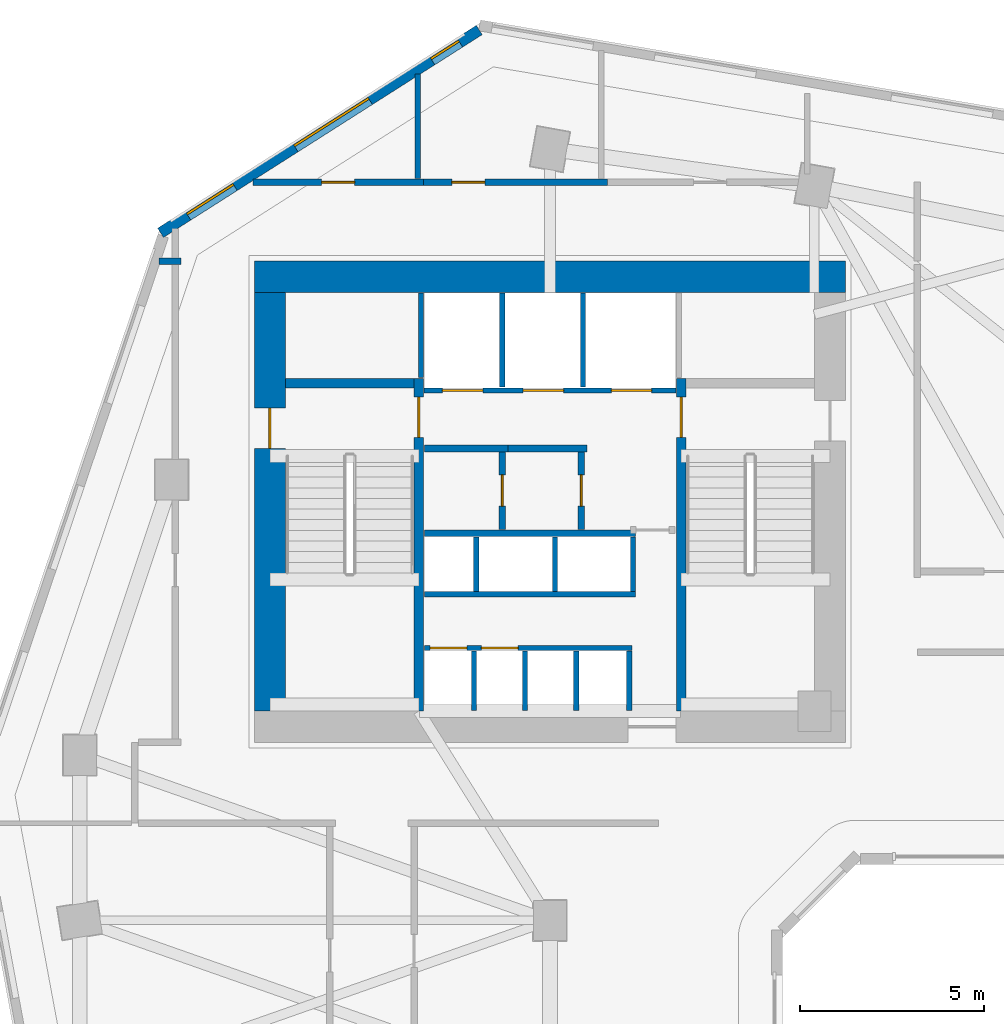
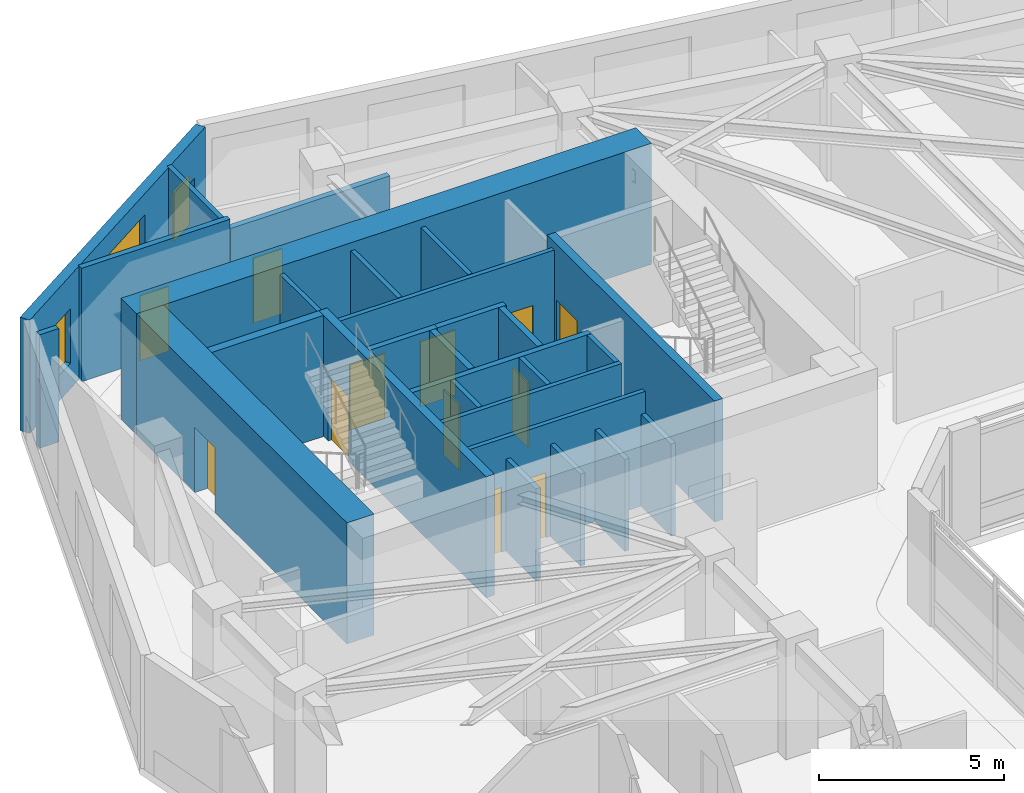
# One storey, part 6 of 11: 28 walls, 12 doors, 3 windows, 15 openings.
"""IFC4 building model written with IfcOpenShell, lengths in metres."""

from ifc_helpers import new_model, si_unit, direction, frame, frame_2d, origin, place, context, subcontext, project, spatial, rectangle, extrude, source, transform, mapped, material, layer, layer_set, type_object, element, fill, save


model = new_model("IFC4")

# Units and contexts
model_context = context("Model", 3, precision=1e-05, world=origin(), true_north=direction((0.0, 1.0)))
body_context = subcontext(model_context, "Body", "Model", "MODEL_VIEW")
ifc_project = project(units=[si_unit("LENGTHUNIT", "METRE"), si_unit("AREAUNIT", "SQUARE_METRE"), si_unit("VOLUMEUNIT", "CUBIC_METRE"), si_unit("PLANEANGLEUNIT", "RADIAN"), si_unit("MASSUNIT", "GRAM", prefix="KILO")], contexts=[model_context])

# Site, building, storey
site_placement = place(None, origin())
site = spatial("IfcSite", under=ifc_project, at=site_placement, CompositionType="ELEMENT")
building_placement = place(site_placement, origin())
building = spatial("IfcBuilding", under=site, at=building_placement, Name="Calvemar Wedge Station Tower", CompositionType="ELEMENT")
storey_placement = place(building_placement, frame((0.0, 0.0, 83.0)))
storey = spatial("IfcBuildingStorey", under=building, at=storey_placement, Name="L20", CompositionType="ELEMENT", Elevation=83.0)

# Wall, opening, door
ifc_material_1 = material(Name="Concrete C50", Category="concrete")
ifc_layer_1 = layer(ifc_material_1, 0.260009765625)
ifc_layer_set_1 = layer_set([ifc_layer_1], Name="Concrete C50")
wall_type_1 = type_object("IfcWallType", Name="SW-CORE-260", PredefinedType="SHEAR", material=ifc_layer_set_1)
wall_1_placement = place(storey_placement, frame((20.22998046875, 34.199951171875, 0.0), z_axis=(0.0, 0.0, 1.0), x_axis=(0.0, 1.0, 0.0)))
wall_1 = element("IfcWall", 1, at=wall_1_placement, inside=storey, type_object=wall_type_1, Name="Storey L20 Core Shear Wall SPINE-W", PredefinedType="SHEAR", context=body_context, shape_type="SweptSolid", body=[
    extrude(rectangle(XDim=9.06005859375, YDim=0.260009765625, at=frame_2d((4.530029296875, 0.0))), origin(), (0.0, 0.0, 1.0), 4.0),
])
shared_shape_1 = source(origin(), body_context, "Body", "SweptSolid", [
    extrude(rectangle(XDim=1.10009765625, YDim=2.14990234375, at=frame_2d((0.550048828125, 1.074951171875))), frame((0.0, 0.14013671875, 0.0), z_axis=(0.0, -1.0, 0.0), x_axis=(1.0, 0.0, 0.0)), (0.0, 0.0, 1.0), 0.280029296875),
])
opening_1_placement = place(wall_1_placement, frame((7.449951171875, 0.0, 0.0)))
opening_1 = element("IfcOpeningElement", 2, at=opening_1_placement, cuts=wall_1, Name="Opening FD-90", PredefinedType="OPENING", context=body_context, shape_type="MappedRepresentation", body=[
    mapped(shared_shape_1, transform((0.0, 0.0, 0.0), scale=1.0)),
])
ifc_material_2 = material(Name="Galvanized fire-rated steel door leaf P-90", Category="steel")
door_type_1 = type_object("IfcDoorType", Name="DR-FD90-1100", OperationType="NOTDEFINED", PredefinedType="DOOR", material=ifc_material_2)
shared_shape_2 = source(origin(), body_context, "Body", "SweptSolid", [
    extrude(rectangle(XDim=1.10009765625, YDim=2.14990234375, at=frame_2d((0.550048828125, 1.074951171875))), frame((0.0, 0.02490234375, 0.0), z_axis=(0.0, -1.0, 0.0), x_axis=(1.0, 0.0, 0.0)), (0.0, 0.0, 1.0), 0.050048828125),
])
door_1_placement = place(opening_1_placement, origin())
door_1 = element("IfcDoor", 3, at=door_1_placement, inside=storey, type_object=door_type_1, Name="L20 FF Lobby to Stair ST-C1 Door", OperationType="SINGLE_SWING_RIGHT", OverallHeight=2.14990234375, OverallWidth=1.10009765625, PredefinedType="DOOR", context=body_context, shape_type="MappedRepresentation", body=[
    mapped(shared_shape_2, transform((0.0, 0.0, 0.0), scale=1.0)),
])
fill(opening_1, door_1)

wall_2_placement = place(storey_placement, frame((27.3701171875, 34.199951171875, 0.0), z_axis=(0.0, 0.0, 1.0), x_axis=(0.0, 1.0, 0.0)))
wall_2 = element("IfcWall", 4, at=wall_2_placement, inside=storey, type_object=wall_type_1, Name="Storey L20 Core Shear Wall SPINE-E", PredefinedType="SHEAR", context=body_context, shape_type="SweptSolid", body=[
    extrude(rectangle(XDim=9.06005859375, YDim=0.260009765625, at=frame_2d((4.530029296875, 0.0))), origin(), (0.0, 0.0, 1.0), 4.0),
])
opening_2_placement = place(wall_2_placement, frame((7.449951171875, 0.0, 0.0)))
opening_2 = element("IfcOpeningElement", 5, at=opening_2_placement, cuts=wall_2, Name="Opening FD-90", PredefinedType="OPENING", context=body_context, shape_type="MappedRepresentation", body=[
    mapped(shared_shape_1, transform((0.0, 0.0, 0.0), scale=1.0)),
])
door_2_placement = place(opening_2_placement, origin())
door_2 = element("IfcDoor", 6, at=door_2_placement, inside=storey, type_object=door_type_1, Name="L20 FF Lobby to Stair ST-C2 Door", OperationType="SINGLE_SWING_LEFT", OverallHeight=2.14990234375, OverallWidth=1.10009765625, PredefinedType="DOOR", context=body_context, shape_type="MappedRepresentation", body=[
    mapped(shared_shape_2, transform((0.0, 0.0, 0.0), scale=1.0)),
])
fill(opening_2, door_2)

# Walls
wall_3_placement = place(storey_placement, frame((16.60009765625, 43.1298828125, 0.0), z_axis=(0.0, 0.0, 1.0), x_axis=(1.0, 0.0, 0.0)))
element("IfcWall", 7, at=wall_3_placement, inside=storey, type_object=wall_type_1, Name="Storey L20 Core Shear Wall STC1-N", PredefinedType="SHEAR", context=body_context, shape_type="SweptSolid", body=[
    extrude(rectangle(XDim=3.5, YDim=0.260009765625, at=frame_2d((1.75, 0.0))), origin(), (0.0, 0.0, 1.0), 4.0),
])
ifc_material_3 = material(Name="Concrete C80", Category="concrete")
ifc_layer_2 = layer(ifc_material_3, 0.85009765625)
ifc_layer_set_2 = layer_set([ifc_layer_2], Name="Concrete C80")
wall_type_2 = type_object("IfcWallType", Name="SW-CORE-850", PredefinedType="SHEAR", material=ifc_layer_set_2)
wall_4_placement = place(storey_placement, frame((15.75, 46.02490234375, 0.0), z_axis=(0.0, 0.0, 1.0), x_axis=(1.0, 0.0, 0.0)))
element("IfcWall", 8, at=wall_4_placement, inside=storey, type_object=wall_type_2, Name="Storey L20 Core Shear Wall N", PredefinedType="SHEAR", context=body_context, shape_type="SweptSolid", body=[
    extrude(rectangle(XDim=16.10009765625, YDim=0.85009765625, at=frame_2d((8.050048828125, 0.0))), origin(), (0.0, 0.0, 1.0), 4.0),
])

# Wall, opening, door
wall_5_placement = place(storey_placement, frame((16.175048828125, 34.199951171875, 0.0), z_axis=(0.0, 0.0, 1.0), x_axis=(0.0, 1.0, 0.0)))
wall_5 = element("IfcWall", 9, at=wall_5_placement, inside=storey, type_object=wall_type_2, Name="Storey L20 Core Shear Wall W", PredefinedType="SHEAR", context=body_context, shape_type="SweptSolid", body=[
    extrude(rectangle(XDim=11.400146484375, YDim=0.85009765625, at=frame_2d((5.7001953125, 0.0))), origin(), (0.0, 0.0, 1.0), 4.0),
])
shared_shape_3 = source(origin(), body_context, "Body", "SweptSolid", [
    extrude(rectangle(XDim=1.10009765625, YDim=2.14990234375, at=frame_2d((0.550048828125, 1.074951171875))), frame((0.0, 0.43505859375, 0.0), z_axis=(0.0, -1.0, 0.0), x_axis=(1.0, 0.0, 0.0)), (0.0, 0.0, 1.0), 0.8701171875),
])
opening_3_placement = place(wall_5_placement, frame((7.14990234375, 0.0, 0.0)))
opening_3 = element("IfcOpeningElement", 10, at=opening_3_placement, cuts=wall_5, Name="Opening FD-90", PredefinedType="OPENING", context=body_context, shape_type="MappedRepresentation", body=[
    mapped(shared_shape_3, transform((0.0, 0.0, 0.0), scale=1.0)),
])
door_3_placement = place(opening_3_placement, origin())
door_3 = element("IfcDoor", 11, at=door_3_placement, inside=storey, type_object=door_type_1, Name="L20 West Corridor to Exit Stair ST-C1 Door", OperationType="SINGLE_SWING_RIGHT", OverallHeight=2.14990234375, OverallWidth=1.10009765625, PredefinedType="DOOR", context=body_context, shape_type="MappedRepresentation", body=[
    mapped(shared_shape_2, transform((0.0, 0.0, 0.0), scale=1.0)),
])
fill(opening_3, door_3)

# Walls
ifc_material_4 = material(Name="Double-stud fire-rated corridor partition")
ifc_layer_3 = layer(ifc_material_4, 0.179931640625)
ifc_layer_set_3 = layer_set([ifc_layer_3], Name="Double-stud fire-rated corridor partition")
wall_type_3 = type_object("IfcWallType", Name="W-CORR-180", PredefinedType="PARTITIONING", material=ifc_layer_set_3)
wall_6_placement = place(storey_placement, frame((22.659912109375, 41.35009765625, 0.0), z_axis=(0.0, 0.0, 1.0), x_axis=(-1.0, 0.0, 0.0)))
element("IfcWall", 12, at=wall_6_placement, inside=storey, type_object=wall_type_3, Name="Storey L20 Interior Partition WL-L20-001", PredefinedType="PARTITIONING", context=body_context, shape_type="SweptSolid", body=[
    extrude(rectangle(XDim=2.280029296875, YDim=0.179931640625, at=frame_2d((1.14013671875, 0.0))), origin(), (0.0, 0.0, 1.0), 3.75),
])
wall_7_placement = place(storey_placement, frame((24.81005859375, 41.35009765625, 0.0), z_axis=(0.0, 0.0, 1.0), x_axis=(-1.0, 0.0, 0.0)))
element("IfcWall", 13, at=wall_7_placement, inside=storey, type_object=wall_type_3, Name="Storey L20 Interior Partition WL-L20-002", PredefinedType="PARTITIONING", context=body_context, shape_type="SweptSolid", body=[
    extrude(rectangle(XDim=2.14794921875, YDim=0.179931640625, at=frame_2d((1.073974609375, 0.0))), origin(), (0.0, 0.0, 1.0), 3.75),
])

# Wall, opening, door
wall_8_placement = place(storey_placement, frame((22.5, 41.256103515625, 0.0), z_axis=(0.0, 0.0, 1.0), x_axis=(0.0, -1.0, 0.0)))
wall_8 = element("IfcWall", 14, at=wall_8_placement, inside=storey, type_object=wall_type_3, Name="Storey L20 Interior Partition WL-L20-003", PredefinedType="PARTITIONING", context=body_context, shape_type="SweptSolid", body=[
    extrude(rectangle(XDim=2.106201171875, YDim=0.179931640625, at=frame_2d((1.05322265625, 0.0))), origin(), (0.0, 0.0, 1.0), 3.75),
])
shared_shape_4 = source(origin(), body_context, "Body", "SweptSolid", [
    extrude(rectangle(XDim=0.85009765625, YDim=2.14990234375, at=frame_2d((0.425048828125, 1.074951171875))), frame((0.0, 0.10009765625, 0.0), z_axis=(0.0, -1.0, 0.0), x_axis=(1.0, 0.0, 0.0)), (0.0, 0.0, 1.0), 0.199951171875),
])
opening_4_placement = place(wall_8_placement, frame((0.6279296875, 0.0, 0.0)))
opening_4 = element("IfcOpeningElement", 15, at=opening_4_placement, cuts=wall_8, Name="Opening FD-60S", PredefinedType="OPENING", context=body_context, shape_type="MappedRepresentation", body=[
    mapped(shared_shape_4, transform((0.0, 0.0, 0.0), scale=1.0)),
])
ifc_material_5 = material(Name="Fire-rated steel and hardwood service door EI 60", Category="steel")
door_type_2 = type_object("IfcDoorType", Name="DR-CORE-FD60-850", OperationType="NOTDEFINED", PredefinedType="DOOR", material=ifc_material_5)
shared_shape_5 = source(origin(), body_context, "Body", "SweptSolid", [
    extrude(rectangle(XDim=0.85009765625, YDim=2.14990234375, at=frame_2d((0.425048828125, 1.074951171875))), frame((0.0, 0.02490234375, 0.0), z_axis=(0.0, -1.0, 0.0), x_axis=(1.0, 0.0, 0.0)), (0.0, 0.0, 1.0), 0.050048828125),
])
door_4_placement = place(opening_4_placement, origin())
door_4 = element("IfcDoor", 16, at=door_4_placement, inside=storey, type_object=door_type_2, Name="L20 IT and Telecoms Room Door", OperationType="SINGLE_SWING_RIGHT", OverallHeight=2.14990234375, OverallWidth=0.85009765625, PredefinedType="DOOR", context=body_context, shape_type="MappedRepresentation", body=[
    mapped(shared_shape_5, transform((0.0, 0.0, 0.0), scale=1.0)),
])
fill(opening_4, door_4)

wall_9_placement = place(storey_placement, frame((24.64990234375, 41.256103515625, 0.0), z_axis=(0.0, 0.0, 1.0), x_axis=(0.0, -1.0, 0.0)))
wall_9 = element("IfcWall", 17, at=wall_9_placement, inside=storey, type_object=wall_type_3, Name="Storey L20 Interior Partition WL-L20-004", PredefinedType="PARTITIONING", context=body_context, shape_type="SweptSolid", body=[
    extrude(rectangle(XDim=2.106201171875, YDim=0.179931640625, at=frame_2d((1.05322265625, 0.0))), origin(), (0.0, 0.0, 1.0), 3.75),
])
opening_5_placement = place(wall_9_placement, frame((0.6279296875, 0.0, 0.0)))
opening_5 = element("IfcOpeningElement", 18, at=opening_5_placement, cuts=wall_9, Name="Opening FD-60S", PredefinedType="OPENING", context=body_context, shape_type="MappedRepresentation", body=[
    mapped(shared_shape_4, transform((0.0, 0.0, 0.0), scale=1.0)),
])
door_5_placement = place(opening_5_placement, origin())
door_5 = element("IfcDoor", 19, at=door_5_placement, inside=storey, type_object=door_type_2, Name="L20 Core Equipment Store Door", OperationType="SINGLE_SWING_LEFT", OverallHeight=2.14990234375, OverallWidth=0.85009765625, PredefinedType="DOOR", context=body_context, shape_type="MappedRepresentation", body=[
    mapped(shared_shape_5, transform((0.0, 0.0, 0.0), scale=1.0)),
])
fill(opening_5, door_5)

# Wall
wall_10_placement = place(storey_placement, frame((13.760009765625, 46.449951171875, 0.0), z_axis=(0.0, 0.0, 1.0), x_axis=(-1.0, 0.0, 0.0)))
element("IfcWall", 20, at=wall_10_placement, inside=storey, type_object=wall_type_3, Name="Storey L20 Interior Partition WL-L20-011", PredefinedType="PARTITIONING", context=body_context, shape_type="SweptSolid", body=[
    extrude(rectangle(XDim=0.60107421875, YDim=0.179931640625, at=frame_2d((0.300537109375, 0.0))), origin(), (0.0, 0.0, 1.0), 3.75),
])

# Wall, opening, door
wall_11_placement = place(storey_placement, frame((15.709716796875, 48.60009765625, 0.0), z_axis=(0.0, 0.0, 1.0), x_axis=(1.0, 0.0, 0.0)))
wall_11 = element("IfcWall", 21, at=wall_11_placement, inside=storey, type_object=wall_type_3, Name="Storey L20 Interior Partition WL-L20-012", PredefinedType="PARTITIONING", context=body_context, shape_type="SweptSolid", body=[
    extrude(rectangle(XDim=4.650390625, YDim=0.179931640625, at=frame_2d((2.3251953125, 0.0))), origin(), (0.0, 0.0, 1.0), 3.75),
])
shared_shape_6 = source(origin(), body_context, "Body", "SweptSolid", [
    extrude(rectangle(XDim=0.89990234375, YDim=2.14990234375, at=frame_2d((0.449951171875, 1.074951171875))), frame((0.0, 0.10009765625, 0.0), z_axis=(0.0, -1.0, 0.0), x_axis=(1.0, 0.0, 0.0)), (0.0, 0.0, 1.0), 0.199951171875),
])
opening_6_placement = place(wall_11_placement, frame((1.875, 0.0, 0.0)))
opening_6 = element("IfcOpeningElement", 22, at=opening_6_placement, cuts=wall_11, Name="Opening D-01", PredefinedType="OPENING", context=body_context, shape_type="MappedRepresentation", body=[
    mapped(shared_shape_6, transform((0.0, 0.0, 0.0), scale=1.0)),
])
ifc_material_6 = material(Name="Architectural hardwood acoustic swing door", Category="wood")
door_type_3 = type_object("IfcDoorType", Name="DR-INT-900", OperationType="NOTDEFINED", PredefinedType="DOOR", material=ifc_material_6)
shared_shape_7 = source(origin(), body_context, "Body", "SweptSolid", [
    extrude(rectangle(XDim=0.89990234375, YDim=2.14990234375, at=frame_2d((0.449951171875, 1.074951171875))), frame((0.0, 0.02490234375, 0.0), z_axis=(0.0, -1.0, 0.0), x_axis=(1.0, 0.0, 0.0)), (0.0, 0.0, 1.0), 0.050048828125),
])
door_6_placement = place(opening_6_placement, origin())
door_6 = element("IfcDoor", 23, at=door_6_placement, inside=storey, type_object=door_type_3, Name="L20 Male Toilet Door", OperationType="SINGLE_SWING_RIGHT", OverallHeight=2.14990234375, OverallWidth=0.89990234375, PredefinedType="DOOR", context=body_context, shape_type="MappedRepresentation", body=[
    mapped(shared_shape_7, transform((0.0, 0.0, 0.0), scale=1.0)),
])
fill(opening_6, door_6)

wall_12_placement = place(storey_placement, frame((20.362060546875, 48.60009765625, 0.0), z_axis=(0.0, 0.0, 1.0), x_axis=(1.0, 0.0, 0.0)))
wall_12 = element("IfcWall", 24, at=wall_12_placement, inside=storey, type_object=wall_type_3, Name="Storey L20 Interior Partition WL-L20-013", PredefinedType="PARTITIONING", context=body_context, shape_type="SweptSolid", body=[
    extrude(rectangle(XDim=4.998046875, YDim=0.179931640625, at=frame_2d((2.4990234375, 0.0))), origin(), (0.0, 0.0, 1.0), 3.43408203125),
])
opening_7_placement = place(wall_12_placement, frame((0.76806640625, 0.0, 0.0)))
opening_7 = element("IfcOpeningElement", 25, at=opening_7_placement, cuts=wall_12, Name="Opening D-01", PredefinedType="OPENING", context=body_context, shape_type="MappedRepresentation", body=[
    mapped(shared_shape_6, transform((0.0, 0.0, 0.0), scale=1.0)),
])
door_7_placement = place(opening_7_placement, origin())
door_7 = element("IfcDoor", 26, at=door_7_placement, inside=storey, type_object=door_type_3, Name="L20 Pantry Door", OperationType="SINGLE_SWING_LEFT", OverallHeight=2.14990234375, OverallWidth=0.89990234375, PredefinedType="DOOR", context=body_context, shape_type="MappedRepresentation", body=[
    mapped(shared_shape_7, transform((0.0, 0.0, 0.0), scale=1.0)),
])
fill(opening_7, door_7)

# Wall, openings, windows
ifc_material_7 = material(Name="Precast concrete C45", Category="concrete")
ifc_layer_4 = layer(ifc_material_7, 0.300048828125)
ifc_layer_set_4 = layer_set([ifc_layer_4], Name="Precast concrete C45")
wall_type_4 = type_object("IfcWallType", Name="W-EXT-GFRC-300", PredefinedType="SOLIDWALL", material=ifc_layer_set_4)
wall_13_placement = place(storey_placement, frame((21.874755859375, 52.742431640625, 0.0), z_axis=(0.0, 0.0, 1.0), x_axis=(-0.843662465249, -0.536873956092, 0.0)))
wall_13 = element("IfcWall", 27, at=wall_13_placement, inside=storey, type_object=wall_type_4, Name="Storey L20 Bronze GFRC Exterior Wall 11", PredefinedType="SOLIDWALL", context=body_context, shape_type="SweptSolid", body=[
    extrude(rectangle(XDim=10.283935546875, YDim=0.300048828125, at=frame_2d((5.14208984375, 0.0))), origin(), (0.0, 0.0, 1.0), 3.75),
])
shared_shape_8 = source(origin(), body_context, "Body", "SweptSolid", [
    extrude(rectangle(XDim=0.89990234375, YDim=1.60009765625, at=frame_2d((0.449951171875, 0.800048828125))), frame((0.0, 0.16015625, 0.0), z_axis=(0.0, -1.0, 0.0), x_axis=(1.0, 0.0, 0.0)), (0.0, 0.0, 1.0), 0.320068359375),
])
opening_8_placement = place(wall_13_placement, frame((0.62890625, 0.0, 0.85009765625)))
opening_8 = element("IfcOpeningElement", 28, at=opening_8_placement, cuts=wall_13, Name="Opening W7", PredefinedType="OPENING", context=body_context, shape_type="MappedRepresentation", body=[
    mapped(shared_shape_8, transform((0.0, 0.0, 0.0), scale=1.0)),
])
shared_shape_9 = source(origin(), body_context, "Body", "SweptSolid", [
    extrude(rectangle(XDim=2.39990234375, YDim=2.199951171875, at=frame_2d((1.199951171875, 1.10009765625))), frame((0.0, 0.16015625, 0.0), z_axis=(0.0, -1.0, 0.0), x_axis=(1.0, 0.0, 0.0)), (0.0, 0.0, 1.0), 0.320068359375),
])
opening_9_placement = place(wall_13_placement, frame((3.5419921875, 0.0, 0.85009765625)))
opening_9 = element("IfcOpeningElement", 29, at=opening_9_placement, cuts=wall_13, Name="Opening W1", PredefinedType="OPENING", context=body_context, shape_type="MappedRepresentation", body=[
    mapped(shared_shape_9, transform((0.0, 0.0, 0.0), scale=1.0)),
])
shared_shape_10 = source(origin(), body_context, "Body", "SweptSolid", [
    extrude(rectangle(XDim=1.5, YDim=1.800048828125, at=frame_2d((0.75, 0.89990234375))), frame((0.0, 0.16015625, 0.0), z_axis=(0.0, -1.0, 0.0), x_axis=(1.0, 0.0, 0.0)), (0.0, 0.0, 1.0), 0.320068359375),
])
opening_10_placement = place(wall_13_placement, frame((7.903076171875, 0.0, 0.85009765625)))
opening_10 = element("IfcOpeningElement", 30, at=opening_10_placement, cuts=wall_13, Name="Opening W3", PredefinedType="OPENING", context=body_context, shape_type="MappedRepresentation", body=[
    mapped(shared_shape_10, transform((0.0, 0.0, 0.0), scale=1.0)),
])
ifc_material_8 = material(Name="Low-E laminated insulated glass", Category="glass")
window_type_1 = type_object("IfcWindowType", Name="WIN-EXT-1", PartitioningType="SINGLE_PANEL", PredefinedType="WINDOW", material=ifc_material_8)
shared_shape_11 = source(origin(), body_context, "Body", "SweptSolid", [
    extrude(rectangle(XDim=2.39990234375, YDim=2.199951171875, at=frame_2d((1.199951171875, 1.10009765625))), frame((0.0, -0.014892578125, 0.0), z_axis=(0.0, -1.0, 0.0), x_axis=(1.0, 0.0, 0.0)), (0.0, 0.0, 1.0), 0.06005859375),
])
window_1_placement = place(opening_9_placement, origin())
window_1 = element("IfcWindow", 31, at=window_1_placement, inside=storey, type_object=window_type_1, Name="Storey L20 Recessed Window 11.2", OverallHeight=2.199951171875, OverallWidth=2.39990234375, PartitioningType="SINGLE_PANEL", PredefinedType="WINDOW", context=body_context, shape_type="MappedRepresentation", body=[
    mapped(shared_shape_11, transform((0.0, 0.0, 0.0), scale=1.0)),
])
fill(opening_9, window_1)
window_type_2 = type_object("IfcWindowType", Name="WIN-EXT-3", PartitioningType="SINGLE_PANEL", PredefinedType="WINDOW", material=ifc_material_8)
shared_shape_12 = source(origin(), body_context, "Body", "SweptSolid", [
    extrude(rectangle(XDim=1.5, YDim=1.800048828125, at=frame_2d((0.75, 0.89990234375))), frame((0.0, -0.014892578125, 0.0), z_axis=(0.0, -1.0, 0.0), x_axis=(1.0, 0.0, 0.0)), (0.0, 0.0, 1.0), 0.06005859375),
])
window_2_placement = place(opening_10_placement, origin())
window_2 = element("IfcWindow", 32, at=window_2_placement, inside=storey, type_object=window_type_2, Name="Storey L20 Recessed Window 11.3", OverallHeight=1.800048828125, OverallWidth=1.5, PartitioningType="SINGLE_PANEL", PredefinedType="WINDOW", context=body_context, shape_type="MappedRepresentation", body=[
    mapped(shared_shape_12, transform((0.0, 0.0, 0.0), scale=1.0)),
])
fill(opening_10, window_2)
window_type_3 = type_object("IfcWindowType", Name="WIN-EXT-7", PartitioningType="SINGLE_PANEL", PredefinedType="WINDOW", material=ifc_material_8)
shared_shape_13 = source(origin(), body_context, "Body", "SweptSolid", [
    extrude(rectangle(XDim=0.89990234375, YDim=1.60009765625, at=frame_2d((0.449951171875, 0.800048828125))), frame((0.0, -0.014892578125, 0.0), z_axis=(0.0, -1.0, 0.0), x_axis=(1.0, 0.0, 0.0)), (0.0, 0.0, 1.0), 0.06005859375),
])
window_3_placement = place(opening_8_placement, origin())
window_3 = element("IfcWindow", 33, at=window_3_placement, inside=storey, type_object=window_type_3, Name="Storey L20 Recessed Window 11.1", OverallHeight=1.60009765625, OverallWidth=0.89990234375, PartitioningType="SINGLE_PANEL", PredefinedType="WINDOW", context=body_context, shape_type="MappedRepresentation", body=[
    mapped(shared_shape_13, transform((0.0, 0.0, 0.0), scale=1.0)),
])
fill(opening_8, window_3)

# Wall, openings, doors
ifc_material_9 = material(Name="Reinforced concrete blockwork lift shaft wall", Category="masonry")
ifc_layer_5 = layer(ifc_material_9, 0.139892578125)
ifc_layer_set_5 = layer_set([ifc_layer_5], Name="Reinforced concrete blockwork lift shaft wall")
wall_type_5 = type_object("IfcWallType", Name="W-LIFT-160", PredefinedType="SOLIDWALL", material=ifc_layer_set_5)
wall_14_placement = place(storey_placement, frame((20.3701171875, 42.929931640625, 0.0), z_axis=(0.0, 0.0, 1.0), x_axis=(1.0, 0.0, 0.0)))
wall_14 = element("IfcWall", 34, at=wall_14_placement, inside=storey, type_object=wall_type_5, Name="Storey L20 Firefighting and Service Lift Shaft Front Wall", PredefinedType="SOLIDWALL", context=body_context, shape_type="SweptSolid", body=[
    extrude(rectangle(XDim=6.85986328125, YDim=0.139892578125, at=frame_2d((3.429931640625, 0.0))), origin(), (0.0, 0.0, 1.0), 3.75),
])
shared_shape_14 = source(origin(), body_context, "Body", "SweptSolid", [
    extrude(rectangle(XDim=1.10009765625, YDim=2.14990234375, at=frame_2d((0.550048828125, 1.074951171875))), frame((0.0, 0.080078125, 0.0), z_axis=(0.0, -1.0, 0.0), x_axis=(1.0, 0.0, 0.0)), (0.0, 0.0, 1.0), 0.159912109375),
])
opening_11_placement = place(wall_14_placement, frame((0.5, 0.0, 0.0)))
opening_11 = element("IfcOpeningElement", 35, at=opening_11_placement, cuts=wall_14, Name="Opening LD-FF", PredefinedType="OPENING", context=body_context, shape_type="MappedRepresentation", body=[
    mapped(shared_shape_14, transform((0.0, 0.0, 0.0), scale=1.0)),
])
opening_12_placement = place(wall_14_placement, frame((2.699951171875, 0.0, 0.0)))
opening_12 = element("IfcOpeningElement", 36, at=opening_12_placement, cuts=wall_14, Name="Opening LD-FF", PredefinedType="OPENING", context=body_context, shape_type="MappedRepresentation", body=[
    mapped(shared_shape_14, transform((0.0, 0.0, 0.0), scale=1.0)),
])
opening_13_placement = place(wall_14_placement, frame((5.10009765625, 0.0, 0.0)))
opening_13 = element("IfcOpeningElement", 37, at=opening_13_placement, cuts=wall_14, Name="Opening LD-STN", PredefinedType="OPENING", context=body_context, shape_type="MappedRepresentation", body=[
    mapped(shared_shape_14, transform((0.0, 0.0, 0.0), scale=1.0)),
])
ifc_material_10 = material(Name="Stainless steel firefighting lift sliding landing door", Category="steel")
door_type_4 = type_object("IfcDoorType", Name="DR-LD-FF-1100", OperationType="SLIDING_TO_LEFT", PredefinedType="DOOR", material=ifc_material_10)
shared_shape_15 = source(origin(), body_context, "Body", "SweptSolid", [
    extrude(rectangle(XDim=1.10009765625, YDim=2.14990234375, at=frame_2d((0.550048828125, 1.074951171875))), frame((0.0, 0.02490234375, 0.0), z_axis=(0.0, -1.0, 0.0), x_axis=(1.0, 0.0, 0.0)), (0.0, 0.0, 1.0), 0.050048828125),
])
door_8_placement = place(opening_11_placement, origin())
door_8 = element("IfcDoor", 38, at=door_8_placement, inside=storey, type_object=door_type_4, Name="L20 Lift FF-01 Sliding Landing Door", OperationType="SLIDING_TO_LEFT", OverallHeight=2.14990234375, OverallWidth=1.10009765625, PredefinedType="DOOR", context=body_context, shape_type="MappedRepresentation", body=[
    mapped(shared_shape_15, transform((0.0, 0.0, 0.0), scale=1.0)),
])
fill(opening_11, door_8)
door_9_placement = place(opening_12_placement, origin())
door_9 = element("IfcDoor", 39, at=door_9_placement, inside=storey, type_object=door_type_4, Name="L20 Lift FF-02 Sliding Landing Door", OperationType="SLIDING_TO_RIGHT", OverallHeight=2.14990234375, OverallWidth=1.10009765625, PredefinedType="DOOR", context=body_context, shape_type="MappedRepresentation", body=[
    mapped(shared_shape_15, transform((0.0, 0.0, 0.0), scale=1.0)),
])
fill(opening_12, door_9)
ifc_material_11 = material(Name="Stainless steel transit lift sliding landing door", Category="steel")
door_type_5 = type_object("IfcDoorType", Name="DR-LD-PAX-1100", OperationType="SLIDING_TO_LEFT", PredefinedType="DOOR", material=ifc_material_11)
shared_shape_16 = source(origin(), body_context, "Body", "SweptSolid", [
    extrude(rectangle(XDim=1.10009765625, YDim=2.14990234375, at=frame_2d((0.550048828125, 1.074951171875))), frame((0.0, 0.02490234375, 0.0), z_axis=(0.0, -1.0, 0.0), x_axis=(1.0, 0.0, 0.0)), (0.0, 0.0, 1.0), 0.050048828125),
])
door_10_placement = place(opening_13_placement, origin())
door_10 = element("IfcDoor", 40, at=door_10_placement, inside=storey, type_object=door_type_5, Name="L20 Lift SV-01 Sliding Landing Door", OperationType="SLIDING_TO_LEFT", OverallHeight=2.14990234375, OverallWidth=1.10009765625, PredefinedType="DOOR", context=body_context, shape_type="MappedRepresentation", body=[
    mapped(shared_shape_16, transform((0.0, 0.0, 0.0), scale=1.0)),
])
fill(opening_13, door_10)

# Walls
wall_15_placement = place(storey_placement, frame((20.2900390625, 43.280029296875, 0.0), z_axis=(0.0, 0.0, 1.0), x_axis=(0.0, 1.0, 0.0)))
element("IfcWall", 41, at=wall_15_placement, inside=storey, type_object=wall_type_5, Name="Storey L20 Firefighting Lift Shaft Enclosure Wall W", PredefinedType="SOLIDWALL", context=body_context, shape_type="SweptSolid", body=[
    extrude(rectangle(XDim=2.300048828125, YDim=0.139892578125, at=frame_2d((1.14990234375, 0.0))), origin(), (0.0, 0.0, 1.0), 3.75),
])
for number, where, z_axis, x_axis, name in (
    (42, (22.5, 43.02001953125, 0.0), (0.0, 0.0, 1.0), (0.0, 1.0, 0.0), "Storey L20 Firefighting Lift Shaft Enclosure Wall D1"),
    (43, (24.699951171875, 43.02001953125, 0.0), (0.0, 0.0, 1.0), (0.0, 1.0, 0.0), "Storey L20 Firefighting Lift Shaft Enclosure Wall D2"),
):
    element("IfcWall", number, at=place(storey_placement, frame(where, z_axis=z_axis, x_axis=x_axis)), inside=storey, type_object=wall_type_5, Name=name, PredefinedType="SOLIDWALL", context=body_context, shape_type="SweptSolid", body=[
        extrude(rectangle(XDim=2.56005859375, YDim=0.139892578125, at=frame_2d((1.280029296875, 0.0))), origin(), (0.0, 0.0, 1.0), 3.75),
    ])

# Wall, openings, doors
wall_16_placement = place(storey_placement, frame((20.3798828125, 35.919921875, 0.0), z_axis=(0.0, 0.0, 1.0), x_axis=(1.0, 0.0, 0.0)))
wall_16 = element("IfcWall", 44, at=wall_16_placement, inside=storey, type_object=wall_type_5, Name="Storey L20 South Passenger Lift Bank Front Wall", PredefinedType="SOLIDWALL", context=body_context, shape_type="SweptSolid", body=[
    extrude(rectangle(XDim=5.650146484375, YDim=0.139892578125, at=frame_2d((2.8251953125, 0.0))), origin(), (0.0, 0.0, 1.0), 3.75),
])
shared_shape_17 = source(origin(), body_context, "Body", "SweptSolid", [
    extrude(rectangle(XDim=1.0, YDim=2.14990234375, at=frame_2d((0.5, 1.074951171875))), frame((0.0, 0.080078125, 0.0), z_axis=(0.0, -1.0, 0.0), x_axis=(1.0, 0.0, 0.0)), (0.0, 0.0, 1.0), 0.159912109375),
])
opening_14_placement = place(wall_16_placement, frame((0.159912109375, 0.0, 0.0)))
opening_14 = element("IfcOpeningElement", 45, at=opening_14_placement, cuts=wall_16, Name="Opening LD-PAX", PredefinedType="OPENING", context=body_context, shape_type="MappedRepresentation", body=[
    mapped(shared_shape_17, transform((0.0, 0.0, 0.0), scale=1.0)),
])
opening_15_placement = place(wall_16_placement, frame((1.550048828125, 0.0, 0.0)))
opening_15 = element("IfcOpeningElement", 46, at=opening_15_placement, cuts=wall_16, Name="Opening LD-PAX", PredefinedType="OPENING", context=body_context, shape_type="MappedRepresentation", body=[
    mapped(shared_shape_17, transform((0.0, 0.0, 0.0), scale=1.0)),
])
ifc_material_12 = material(Name="Anodised bronze passenger lift sliding landing door")
door_type_6 = type_object("IfcDoorType", Name="DR-LD-PAX-1000", OperationType="SLIDING_TO_LEFT", PredefinedType="DOOR", material=ifc_material_12)
shared_shape_18 = source(origin(), body_context, "Body", "SweptSolid", [
    extrude(rectangle(XDim=1.0, YDim=2.14990234375, at=frame_2d((0.5, 1.074951171875))), frame((0.0, 0.02490234375, 0.0), z_axis=(0.0, -1.0, 0.0), x_axis=(1.0, 0.0, 0.0)), (0.0, 0.0, 1.0), 0.050048828125),
])
door_11_placement = place(opening_14_placement, origin())
door_11 = element("IfcDoor", 47, at=door_11_placement, inside=storey, type_object=door_type_6, Name="L20 Lift OL-01 Sliding Landing Door", OperationType="SLIDING_TO_LEFT", OverallHeight=2.14990234375, OverallWidth=1.0, PredefinedType="DOOR", context=body_context, shape_type="MappedRepresentation", body=[
    mapped(shared_shape_18, transform((0.0, 0.0, 0.0), scale=1.0)),
])
fill(opening_14, door_11)
door_12_placement = place(opening_15_placement, origin())
door_12 = element("IfcDoor", 48, at=door_12_placement, inside=storey, type_object=door_type_6, Name="L20 Lift OL-02 Sliding Landing Door", OperationType="SLIDING_TO_RIGHT", OverallHeight=2.14990234375, OverallWidth=1.0, PredefinedType="DOOR", context=body_context, shape_type="MappedRepresentation", body=[
    mapped(shared_shape_18, transform((0.0, 0.0, 0.0), scale=1.0)),
])
fill(opening_15, door_12)

# Walls
for number, where, z_axis, x_axis, name in (
    (49, (25.9599609375, 34.219970703125, 0.0), (0.0, 0.0, 1.0), (0.0, 1.0, 0.0), "Storey L20 South Passenger Lift Shaft Wall E"),
    (50, (21.735107421875, 34.219970703125, 0.0), (0.0, 0.0, 1.0), (0.0, 1.0, 0.0), "Storey L20 South Passenger Lift Shaft Wall D1"),
    (51, (23.125, 34.219970703125, 0.0), (0.0, 0.0, 1.0), (0.0, 1.0, 0.0), "Storey L20 South Passenger Lift Shaft Wall D2"),
    (52, (24.514892578125, 34.219970703125, 0.0), (0.0, 0.0, 1.0), (0.0, 1.0, 0.0), "Storey L20 South Passenger Lift Shaft Wall D3"),
):
    element("IfcWall", number, at=place(storey_placement, frame(where, z_axis=z_axis, x_axis=x_axis)), inside=storey, type_object=wall_type_5, Name=name, PredefinedType="SOLIDWALL", context=body_context, shape_type="SweptSolid", body=[
        extrude(rectangle(XDim=1.6201171875, YDim=0.139892578125, at=frame_2d((0.81005859375, 0.0))), origin(), (0.0, 0.0, 1.0), 3.0419921875),
    ])
wall_17_placement = place(storey_placement, frame((20.3798828125, 37.3798828125, 0.0), z_axis=(0.0, 0.0, 1.0), x_axis=(1.0, 0.0, 0.0)))
element("IfcWall", 53, at=wall_17_placement, inside=storey, type_object=wall_type_5, Name="Storey L20 Upper Passenger Lift Bank Front Wall", PredefinedType="SOLIDWALL", context=body_context, shape_type="SweptSolid", body=[
    extrude(rectangle(XDim=5.75, YDim=0.139892578125, at=frame_2d((2.875, 0.0))), origin(), (0.0, 0.0, 1.0), 3.75),
])
for number, where, z_axis, x_axis, name in (
    (54, (26.06005859375, 37.4599609375, 0.0), (0.0, 0.0, 1.0), (0.0, 1.0, 0.0), "Storey L20 Upper Passenger Lift Shaft Wall E"),
    (55, (21.794921875, 37.4599609375, 0.0), (0.0, 0.0, 1.0), (0.0, 1.0, 0.0), "Storey L20 Upper Passenger Lift Shaft Wall D1"),
    (56, (23.93505859375, 37.4599609375, 0.0), (0.0, 0.0, 1.0), (0.0, 1.0, 0.0), "Storey L20 Upper Passenger Lift Shaft Wall D2"),
):
    element("IfcWall", number, at=place(storey_placement, frame(where, z_axis=z_axis, x_axis=x_axis)), inside=storey, type_object=wall_type_5, Name=name, PredefinedType="SOLIDWALL", context=body_context, shape_type="SweptSolid", body=[
        extrude(rectangle(XDim=1.47998046875, YDim=0.139892578125, at=frame_2d((0.739990234375, 0.0))), origin(), (0.0, 0.0, 1.0), 3.75),
    ])
ifc_material_13 = material(Name="Concrete blockwork and fireboard shaft wall", Category="masonry")
ifc_layer_6 = layer(ifc_material_13, 0.199951171875)
ifc_layer_set_6 = layer_set([ifc_layer_6], Name="Concrete blockwork and fireboard shaft wall")
wall_type_6 = type_object("IfcWallType", Name="W-SHAFT-200", PredefinedType="SOLIDWALL", material=ifc_layer_set_6)
wall_18_placement = place(storey_placement, frame((20.3798828125, 39.0400390625, 0.0), z_axis=(0.0, 0.0, 1.0), x_axis=(1.0, 0.0, 0.0)))
element("IfcWall", 57, at=wall_18_placement, inside=storey, type_object=wall_type_6, Name="Storey L20 Upper Passenger Lift Bank Rear Shaft Wall", PredefinedType="SOLIDWALL", context=body_context, shape_type="SweptSolid", body=[
    extrude(rectangle(XDim=5.75, YDim=0.179931640625, at=frame_2d((2.875, 0.0))), origin(), (0.0, 0.0, 1.0), 3.75),
])
ifc_material_14 = material(Name="Moisture-resistant acoustic bathroom partition")
ifc_layer_7 = layer(ifc_material_14, 0.14990234375)
ifc_layer_set_7 = layer_set([ifc_layer_7], Name="Moisture-resistant acoustic bathroom partition")
wall_type_7 = type_object("IfcWallType", Name="W-WET-150", PredefinedType="PARTITIONING", material=ifc_layer_set_7)
wall_19_placement = place(storey_placement, frame((20.199951171875, 51.540283203125, 0.0), z_axis=(0.0, 0.0, 1.0), x_axis=(0.0, -1.0, 0.0)))
element("IfcWall", 58, at=wall_19_placement, inside=storey, type_object=wall_type_7, Name="Storey L20 Interior Partition WL-L20-018", PredefinedType="PARTITIONING", context=body_context, shape_type="SweptSolid", body=[
    extrude(rectangle(XDim=2.84619140625, YDim=0.14990234375, at=frame_2d((1.423095703125, 0.0))), origin(), (0.0, 0.0, 1.0), 3.75),
])

save(model, "model.ifc")
